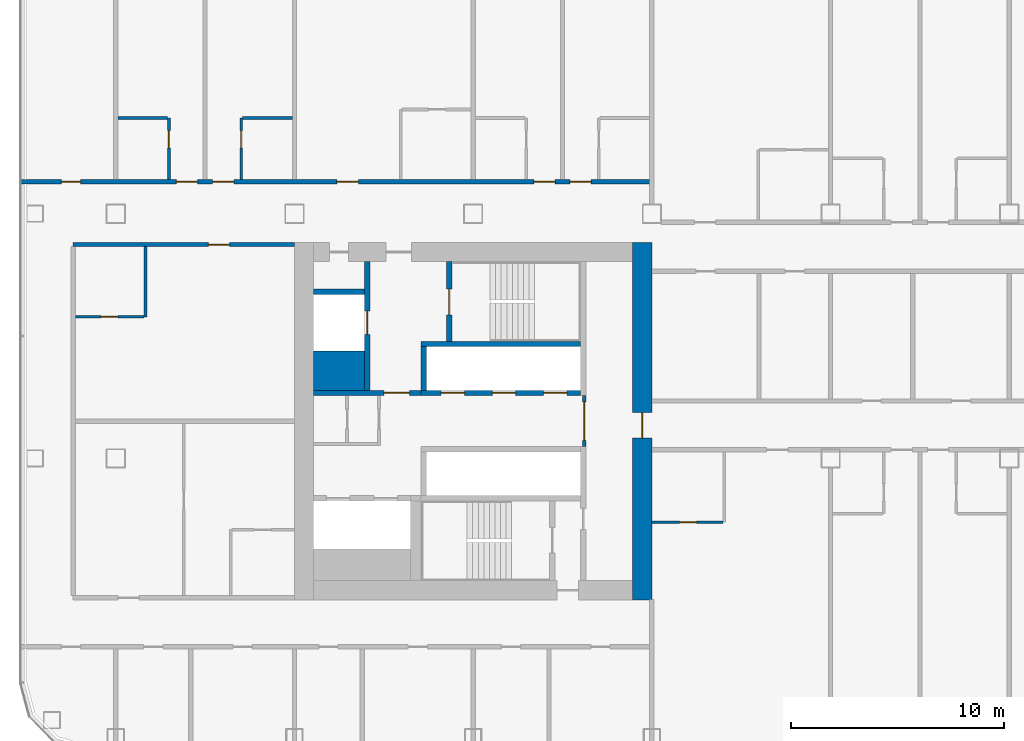
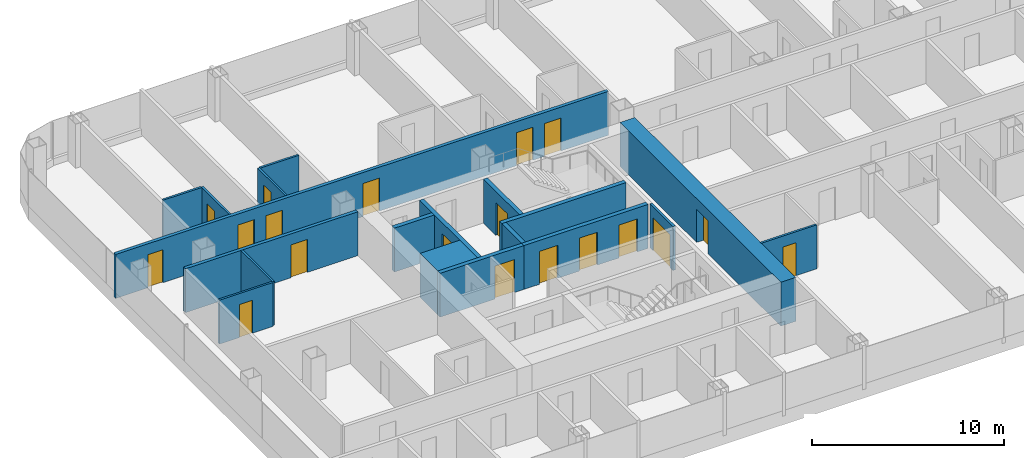
# One storey, part 16 of 29: 19 doors, 19 walls, 19 openings.
"""IFC4 building model written with IfcOpenShell, lengths in metres."""

from ifc_helpers import new_model, si_unit, direction, frame, frame_2d, origin, place, context, subcontext, project, spatial, rectangle, extrude, material, layer, layer_set, type_object, element, fill, save


model = new_model("IFC4")

# Units and contexts
model_context = context("Model", 3, precision=1e-05, world=origin(), true_north=direction((0.0, 1.0)))
body_context = subcontext(model_context, "Body", "Model", "MODEL_VIEW")
ifc_project = project(units=[si_unit("LENGTHUNIT", "METRE"), si_unit("AREAUNIT", "SQUARE_METRE"), si_unit("VOLUMEUNIT", "CUBIC_METRE"), si_unit("PLANEANGLEUNIT", "RADIAN"), si_unit("MASSUNIT", "GRAM", prefix="KILO")], contexts=[model_context])

# Site, building, storey
site_placement = place(None, origin())
site = spatial("IfcSite", under=ifc_project, at=site_placement, CompositionType="ELEMENT")
building_placement = place(site_placement, origin())
building = spatial("IfcBuilding", under=site, at=building_placement, Name="Hakoniwa Tower and Hamabe Station Hall", CompositionType="ELEMENT")
storey_placement = place(building_placement, frame((0.0, 0.0, 97.800048828125)))
storey = spatial("IfcBuildingStorey", under=building, at=storey_placement, Name="L27", CompositionType="ELEMENT", Elevation=97.800048828125)

# Wall, opening, door
ifc_material_1 = material(Name="Gypsum board partition", Category="gypsum")
ifc_layer_1 = layer(ifc_material_1, 0.125)
ifc_layer_set_1 = layer_set([ifc_layer_1], Name="Bathroom Partition 125")
wall_type_1 = type_object("IfcWallType", Name="Bathroom Partition 125", PredefinedType="PARTITIONING", material=ifc_layer_set_1)
wall_1_placement = place(storey_placement, frame((-16.81005859375, -4.75, 0.0), z_axis=(0.0, 0.0, 1.0), x_axis=(1.0, 0.0, 0.0)))
wall_1 = element("IfcWall", 1, at=wall_1_placement, inside=storey, type_object=wall_type_1, Name="GW-L27-007", PredefinedType="PARTITIONING", context=body_context, shape_type="SweptSolid", body=[
    extrude(rectangle(XDim=3.34765625, YDim=0.125, at=frame_2d((1.673828125, 0.0))), origin(), (0.0, 0.0, 1.0), 2.800048828125),
])
opening_1_placement = place(wall_1_placement, frame((1.31005859375, 0.0, 0.0)))
opening_1 = element("IfcOpeningElement", 2, at=opening_1_placement, cuts=wall_1, Name="Opening GD-G2C1-19", PredefinedType="OPENING", context=body_context, shape_type="SweptSolid", body=[
    extrude(rectangle(XDim=0.800048828125, YDim=2.10009765625, at=frame_2d((0.39990234375, 1.050048828125))), frame((0.0, 0.072509765625, 0.0), z_axis=(0.0, -1.0, 0.0), x_axis=(1.0, 0.0, 0.0)), (0.0, 0.0, 1.0), 0.14501953125),
])
ifc_material_2 = material(Name="Timber door leaf", Category="wood")
door_type_1 = type_object("IfcDoorType", Name="Bathroom Door 800", OperationType="SINGLE_SWING_LEFT", PredefinedType="DOOR", material=ifc_material_2)
door_1_placement = place(opening_1_placement, origin())
door_1 = element("IfcDoor", 3, at=door_1_placement, inside=storey, type_object=door_type_1, Name="Door GD-G2C1-19", OperationType="SINGLE_SWING_LEFT", OverallHeight=2.10009765625, OverallWidth=0.800048828125, PredefinedType="DOOR", context=body_context, shape_type="SweptSolid", body=[
    extrude(rectangle(XDim=0.800048828125, YDim=2.10009765625, at=frame_2d((0.39990234375, 1.050048828125))), frame((0.0, 0.02490234375, 0.0), z_axis=(0.0, -1.0, 0.0), x_axis=(1.0, 0.0, 0.0)), (0.0, 0.0, 1.0), 0.050048828125),
])
fill(opening_1, door_1)

wall_2_placement = place(storey_placement, frame((-43.89990234375, 4.89990234375, 0.0), z_axis=(0.0, 0.0, 1.0), x_axis=(1.0, 0.0, 0.0)))
wall_2 = element("IfcWall", 4, at=wall_2_placement, inside=storey, type_object=wall_type_1, Name="GW-L27-016", PredefinedType="PARTITIONING", context=body_context, shape_type="SweptSolid", body=[
    extrude(rectangle(XDim=3.2373046875, YDim=0.125, at=frame_2d((1.61865234375, 0.0))), origin(), (0.0, 0.0, 1.0), 2.800048828125),
])
opening_2_placement = place(wall_2_placement, frame((1.199951171875, 0.0, 0.0)))
opening_2 = element("IfcOpeningElement", 5, at=opening_2_placement, cuts=wall_2, Name="Opening GD-G2C1-31", PredefinedType="OPENING", context=body_context, shape_type="SweptSolid", body=[
    extrude(rectangle(XDim=0.800048828125, YDim=2.10009765625, at=frame_2d((0.39990234375, 1.050048828125))), frame((0.0, 0.072509765625, 0.0), z_axis=(0.0, -1.0, 0.0), x_axis=(1.0, 0.0, 0.0)), (0.0, 0.0, 1.0), 0.14501953125),
])
door_2_placement = place(opening_2_placement, origin())
door_2 = element("IfcDoor", 6, at=door_2_placement, inside=storey, type_object=door_type_1, Name="Door GD-G2C1-31", OperationType="SINGLE_SWING_LEFT", OverallHeight=2.10009765625, OverallWidth=0.800048828125, PredefinedType="DOOR", context=body_context, shape_type="SweptSolid", body=[
    extrude(rectangle(XDim=0.800048828125, YDim=2.10009765625, at=frame_2d((0.39990234375, 1.050048828125))), frame((0.0, 0.02490234375, 0.0), z_axis=(0.0, -1.0, 0.0), x_axis=(1.0, 0.0, 0.0)), (0.0, 0.0, 1.0), 0.050048828125),
])
fill(opening_2, door_2)

# Walls
wall_3_placement = place(storey_placement, frame((-41.89990234375, 14.25, 0.0), z_axis=(0.0, 0.0, 1.0), x_axis=(1.0, 0.0, 0.0)))
element("IfcWall", 7, at=wall_3_placement, inside=storey, type_object=wall_type_1, Name="GW-L27-027", PredefinedType="PARTITIONING", context=body_context, shape_type="SweptSolid", body=[
    extrude(rectangle(XDim=2.33740234375, YDim=0.125, at=frame_2d((1.168701171875, 0.0))), origin(), (0.0, 0.0, 1.0), 2.800048828125),
])
wall_4_placement = place(storey_placement, frame((-36.03759765625, 14.25, 0.0), z_axis=(0.0, 0.0, 1.0), x_axis=(1.0, 0.0, 0.0)))
element("IfcWall", 8, at=wall_4_placement, inside=storey, type_object=wall_type_1, Name="GW-L27-028", PredefinedType="PARTITIONING", context=body_context, shape_type="SweptSolid", body=[
    extrude(rectangle(XDim=2.337646484375, YDim=0.125, at=frame_2d((1.1689453125, 0.0))), origin(), (0.0, 0.0, 1.0), 2.800048828125),
])
wall_5_placement = place(storey_placement, frame((-40.60009765625, 4.89990234375, 0.0), z_axis=(0.0, 0.0, 1.0), x_axis=(0.0, 1.0, 0.0)))
element("IfcWall", 9, at=wall_5_placement, inside=storey, type_object=wall_type_1, Name="GW-L27-039", PredefinedType="PARTITIONING", context=body_context, shape_type="SweptSolid", body=[
    extrude(rectangle(XDim=3.300048828125, YDim=0.125, at=frame_2d((1.64990234375, 0.0))), origin(), (0.0, 0.0, 1.0), 2.800048828125),
])

# Wall, opening, door
wall_6_placement = place(storey_placement, frame((-39.5, 11.35009765625, 0.0), z_axis=(0.0, 0.0, 1.0), x_axis=(0.0, 1.0, 0.0)))
wall_6 = element("IfcWall", 10, at=wall_6_placement, inside=storey, type_object=wall_type_1, Name="GW-L27-040", PredefinedType="PARTITIONING", context=body_context, shape_type="SweptSolid", body=[
    extrude(rectangle(XDim=2.89990234375, YDim=0.125, at=frame_2d((1.449951171875, 0.0))), origin(), (0.0, 0.0, 1.0), 2.800048828125),
])
opening_3_placement = place(wall_6_placement, frame((1.5, 0.0, 0.0)))
opening_3 = element("IfcOpeningElement", 11, at=opening_3_placement, cuts=wall_6, Name="Opening GD-G2C1-61", PredefinedType="OPENING", context=body_context, shape_type="SweptSolid", body=[
    extrude(rectangle(XDim=0.800048828125, YDim=2.10009765625, at=frame_2d((0.39990234375, 1.050048828125))), frame((0.0, 0.072509765625, 0.0), z_axis=(0.0, -1.0, 0.0), x_axis=(1.0, 0.0, 0.0)), (0.0, 0.0, 1.0), 0.14501953125),
])
door_3_placement = place(opening_3_placement, origin())
door_3 = element("IfcDoor", 12, at=door_3_placement, inside=storey, type_object=door_type_1, Name="Door GD-G2C1-61", OperationType="SINGLE_SWING_LEFT", OverallHeight=2.10009765625, OverallWidth=0.800048828125, PredefinedType="DOOR", context=body_context, shape_type="SweptSolid", body=[
    extrude(rectangle(XDim=0.800048828125, YDim=2.10009765625, at=frame_2d((0.39990234375, 1.050048828125))), frame((0.0, 0.02490234375, 0.0), z_axis=(0.0, -1.0, 0.0), x_axis=(1.0, 0.0, 0.0)), (0.0, 0.0, 1.0), 0.050048828125),
])
fill(opening_3, door_3)

wall_7_placement = place(storey_placement, frame((-36.10009765625, 11.35009765625, 0.0), z_axis=(0.0, 0.0, 1.0), x_axis=(0.0, 1.0, 0.0)))
wall_7 = element("IfcWall", 13, at=wall_7_placement, inside=storey, type_object=wall_type_1, Name="GW-L27-045", PredefinedType="PARTITIONING", context=body_context, shape_type="SweptSolid", body=[
    extrude(rectangle(XDim=2.89990234375, YDim=0.125, at=frame_2d((1.449951171875, 0.0))), origin(), (0.0, 0.0, 1.0), 2.800048828125),
])
opening_4_placement = place(wall_7_placement, frame((1.5, 0.0, 0.0)))
opening_4 = element("IfcOpeningElement", 14, at=opening_4_placement, cuts=wall_7, Name="Opening GD-G2C1-63", PredefinedType="OPENING", context=body_context, shape_type="SweptSolid", body=[
    extrude(rectangle(XDim=0.800048828125, YDim=2.10009765625, at=frame_2d((0.39990234375, 1.050048828125))), frame((0.0, 0.072509765625, 0.0), z_axis=(0.0, -1.0, 0.0), x_axis=(1.0, 0.0, 0.0)), (0.0, 0.0, 1.0), 0.14501953125),
])
door_4_placement = place(opening_4_placement, origin())
door_4 = element("IfcDoor", 15, at=door_4_placement, inside=storey, type_object=door_type_1, Name="Door GD-G2C1-63", OperationType="SINGLE_SWING_RIGHT", OverallHeight=2.10009765625, OverallWidth=0.800048828125, PredefinedType="DOOR", context=body_context, shape_type="SweptSolid", body=[
    extrude(rectangle(XDim=0.800048828125, YDim=2.10009765625, at=frame_2d((0.39990234375, 1.050048828125))), frame((0.0, 0.02490234375, 0.0), z_axis=(0.0, -1.0, 0.0), x_axis=(1.0, 0.0, 0.0)), (0.0, 0.0, 1.0), 0.050048828125),
])
fill(opening_4, door_4)

ifc_material_3 = material(Name="Gypsum board partition")
ifc_layer_2 = layer(ifc_material_3, 0.14990234375)
ifc_layer_set_2 = layer_set([ifc_layer_2], Name="CORE PARTITION 150 EI 60")
wall_type_2 = type_object("IfcWallType", Name="CORE PARTITION 150 EI 60", PredefinedType="PARTITIONING", material=ifc_layer_set_2)
wall_8_placement = place(storey_placement, frame((-19.97509765625, -1.199951171875, 0.0), z_axis=(0.0, 0.0, 1.0), x_axis=(0.0, 1.0, 0.0)))
wall_8 = element("IfcWall", 16, at=wall_8_placement, inside=storey, type_object=wall_type_2, Name="Core partition PL0 west", PredefinedType="PARTITIONING", context=body_context, shape_type="SweptSolid", body=[
    extrude(rectangle(XDim=2.39990234375, YDim=0.14990234375, at=frame_2d((1.199951171875, 0.0))), origin(), (0.0, 0.0, 1.0), 2.800048828125),
])
opening_5_placement = place(wall_8_placement, frame((0.300048828125, 0.0, 0.0)))
opening_5 = element("IfcOpeningElement", 17, at=opening_5_placement, cuts=wall_8, Name="Opening CD-W-LP0-18", PredefinedType="OPENING", context=body_context, shape_type="SweptSolid", body=[
    extrude(rectangle(XDim=1.800048828125, YDim=2.10009765625, at=frame_2d((0.89990234375, 1.050048828125))), frame((0.0, 0.0849609375, 0.0), z_axis=(0.0, -1.0, 0.0), x_axis=(1.0, 0.0, 0.0)), (0.0, 0.0, 1.0), 0.169921875),
])
ifc_material_4 = material(Name="Steel fire door", Category="steel")
door_type_2 = type_object("IfcDoorType", Name="CORE DOOR 1800 FD60", OperationType="DOUBLE_DOOR_SINGLE_SWING", PredefinedType="DOOR", material=ifc_material_4)
door_5_placement = place(opening_5_placement, origin())
door_5 = element("IfcDoor", 18, at=door_5_placement, inside=storey, type_object=door_type_2, Name="Lift lobby partition door", OperationType="DOUBLE_DOOR_SINGLE_SWING", OverallHeight=2.10009765625, OverallWidth=1.800048828125, PredefinedType="DOOR", context=body_context, shape_type="SweptSolid", body=[
    extrude(rectangle(XDim=1.800048828125, YDim=2.10009765625, at=frame_2d((0.89990234375, 1.050048828125))), frame((0.0, 0.02490234375, 0.0), z_axis=(0.0, -1.0, 0.0), x_axis=(1.0, 0.0, 0.0)), (0.0, 0.0, 1.0), 0.050048828125),
])
fill(opening_5, door_5)

ifc_material_5 = material(Name="Concrete C72", Category="concrete")
ifc_layer_3 = layer(ifc_material_5, 0.89990234375)
ifc_layer_set_3 = layer_set([ifc_layer_3], Name="CORE WALL 900 C72")
wall_type_3 = type_object("IfcWallType", Name="CORE WALL 900 C72", PredefinedType="SHEAR", material=ifc_layer_set_3)
wall_9_placement = place(storey_placement, frame((-17.25, -8.39990234375, 0.0), z_axis=(0.0, 0.0, 1.0), x_axis=(0.0, 1.0, 0.0)))
wall_9 = element("IfcWall", 19, at=wall_9_placement, inside=storey, type_object=wall_type_3, Name="Core wall INNER west", PredefinedType="SHEAR", context=body_context, shape_type="SweptSolid", body=[
    extrude(rectangle(XDim=16.7998046875, YDim=0.89990234375, at=frame_2d((8.39990234375, 0.0))), origin(), (0.0, 0.0, 1.0), 2.800048828125),
])
opening_6_placement = place(wall_9_placement, frame((7.60009765625, 0.0, 0.0)))
opening_6 = element("IfcOpeningElement", 20, at=opening_6_placement, cuts=wall_9, Name="Opening CD-W-IN1-12", PredefinedType="OPENING", context=body_context, shape_type="SweptSolid", body=[
    extrude(rectangle(XDim=1.199951171875, YDim=2.10009765625, at=frame_2d((0.60009765625, 1.050048828125))), frame((0.0, 0.4599609375, 0.0), z_axis=(0.0, -1.0, 0.0), x_axis=(1.0, 0.0, 0.0)), (0.0, 0.0, 1.0), 0.919921875),
])
ifc_material_6 = material(Name="Steel fire door", Category="steel")
door_type_3 = type_object("IfcDoorType", Name="CORE DOOR 1200 FD60", OperationType="DOUBLE_DOOR_SINGLE_SWING", PredefinedType="DOOR", material=ifc_material_6)
door_6_placement = place(opening_6_placement, origin())
door_6 = element("IfcDoor", 21, at=door_6_placement, inside=storey, type_object=door_type_3, Name="Lift lobby door", OperationType="DOUBLE_DOOR_SINGLE_SWING", OverallHeight=2.10009765625, OverallWidth=1.199951171875, PredefinedType="DOOR", context=body_context, shape_type="SweptSolid", body=[
    extrude(rectangle(XDim=1.199951171875, YDim=2.10009765625, at=frame_2d((0.60009765625, 1.050048828125))), frame((0.0, 0.02490234375, 0.0), z_axis=(0.0, -1.0, 0.0), x_axis=(1.0, 0.0, 0.0)), (0.0, 0.0, 1.0), 0.050048828125),
])
fill(opening_6, door_6)

# Wall
ifc_material_7 = material(Name="Concrete C72", Category="concrete")
ifc_layer_4 = layer(ifc_material_7, 1.85009765625)
ifc_layer_set_4 = layer_set([ifc_layer_4], Name="CORE WEB WALL 1850 C72")
wall_type_4 = type_object("IfcWallType", Name="CORE WEB WALL 1850 C72", PredefinedType="SHEAR", material=ifc_layer_set_4)
wall_10_placement = place(storey_placement, frame((-32.699951171875, 2.375, 0.0), z_axis=(0.0, 0.0, 1.0), x_axis=(1.0, 0.0, 0.0)))
element("IfcWall", 22, at=wall_10_placement, inside=storey, type_object=wall_type_4, Name="Core wall CA west", PredefinedType="SHEAR", context=body_context, shape_type="SweptSolid", body=[
    extrude(rectangle(XDim=2.39990234375, YDim=1.85009765625, at=frame_2d((1.199951171875, 0.0))), origin(), (0.0, 0.0, 1.0), 2.800048828125),
])

# Wall, openings, doors
ifc_material_8 = material(Name="Concrete C72", Category="concrete")
ifc_layer_5 = layer(ifc_material_8, 0.25)
ifc_layer_set_5 = layer_set([ifc_layer_5], Name="CORE WEB WALL 250 C72")
wall_type_5 = type_object("IfcWallType", Name="CORE WEB WALL 250 C72", PredefinedType="SHEAR", material=ifc_layer_set_5)
wall_11_placement = place(storey_placement, frame((-27.64990234375, 1.324951171875, 0.0), z_axis=(0.0, 0.0, 1.0), x_axis=(1.0, 0.0, 0.0)))
wall_11 = element("IfcWall", 23, at=wall_11_placement, inside=storey, type_object=wall_type_5, Name="Core wall NF west", PredefinedType="SHEAR", context=body_context, shape_type="SweptSolid", body=[
    extrude(rectangle(XDim=7.5, YDim=0.25, at=frame_2d((3.75, 0.0))), origin(), (0.0, 0.0, 1.0), 2.800048828125),
])
opening_7_placement = place(wall_11_placement, frame((5.75, 0.0, 0.0)))
opening_7 = element("IfcOpeningElement", 24, at=opening_7_placement, cuts=wall_11, Name="Opening LD-LR1", PredefinedType="OPENING", context=body_context, shape_type="SweptSolid", body=[
    extrude(rectangle(XDim=1.10009765625, YDim=2.10009765625, at=frame_2d((0.550048828125, 1.050048828125))), frame((0.0, 0.135009765625, 0.0), z_axis=(0.0, -1.0, 0.0), x_axis=(1.0, 0.0, 0.0)), (0.0, 0.0, 1.0), 0.27001953125),
])
opening_8_placement = place(wall_11_placement, frame((3.35009765625, 0.0, 0.0)))
opening_8 = element("IfcOpeningElement", 25, at=opening_8_placement, cuts=wall_11, Name="Opening LD-LR2", PredefinedType="OPENING", context=body_context, shape_type="SweptSolid", body=[
    extrude(rectangle(XDim=1.10009765625, YDim=2.10009765625, at=frame_2d((0.550048828125, 1.050048828125))), frame((0.0, 0.135009765625, 0.0), z_axis=(0.0, -1.0, 0.0), x_axis=(1.0, 0.0, 0.0)), (0.0, 0.0, 1.0), 0.27001953125),
])
opening_9_placement = place(wall_11_placement, frame((0.949951171875, 0.0, 0.0)))
opening_9 = element("IfcOpeningElement", 26, at=opening_9_placement, cuts=wall_11, Name="Opening LD-LR3", PredefinedType="OPENING", context=body_context, shape_type="SweptSolid", body=[
    extrude(rectangle(XDim=1.10009765625, YDim=2.10009765625, at=frame_2d((0.550048828125, 1.050048828125))), frame((0.0, 0.135009765625, 0.0), z_axis=(0.0, -1.0, 0.0), x_axis=(1.0, 0.0, 0.0)), (0.0, 0.0, 1.0), 0.27001953125),
])
ifc_material_9 = material(Name="Stainless steel SUS304", Category="steel")
door_type_4 = type_object("IfcDoorType", Name="LIFT LANDING DOOR 1100 FD60", OperationType="DOUBLE_DOOR_SLIDING", PredefinedType="DOOR", material=ifc_material_9)
door_7_placement = place(opening_7_placement, origin())
door_7 = element("IfcDoor", 27, at=door_7_placement, inside=storey, type_object=door_type_4, Name="Lift landing door LR1 L27", OperationType="DOUBLE_DOOR_SLIDING", OverallHeight=2.10009765625, OverallWidth=1.10009765625, PredefinedType="DOOR", context=body_context, shape_type="SweptSolid", body=[
    extrude(rectangle(XDim=1.10009765625, YDim=2.10009765625, at=frame_2d((0.550048828125, 1.050048828125))), frame((0.0, 0.02490234375, 0.0), z_axis=(0.0, -1.0, 0.0), x_axis=(1.0, 0.0, 0.0)), (0.0, 0.0, 1.0), 0.050048828125),
])
fill(opening_7, door_7)
door_8_placement = place(opening_8_placement, origin())
door_8 = element("IfcDoor", 28, at=door_8_placement, inside=storey, type_object=door_type_4, Name="Lift landing door LR2 L27", OperationType="DOUBLE_DOOR_SLIDING", OverallHeight=2.10009765625, OverallWidth=1.10009765625, PredefinedType="DOOR", context=body_context, shape_type="SweptSolid", body=[
    extrude(rectangle(XDim=1.10009765625, YDim=2.10009765625, at=frame_2d((0.550048828125, 1.050048828125))), frame((0.0, 0.02490234375, 0.0), z_axis=(0.0, -1.0, 0.0), x_axis=(1.0, 0.0, 0.0)), (0.0, 0.0, 1.0), 0.050048828125),
])
fill(opening_8, door_8)
door_9_placement = place(opening_9_placement, origin())
door_9 = element("IfcDoor", 29, at=door_9_placement, inside=storey, type_object=door_type_4, Name="Lift landing door LR3 L27", OperationType="DOUBLE_DOOR_SLIDING", OverallHeight=2.10009765625, OverallWidth=1.10009765625, PredefinedType="DOOR", context=body_context, shape_type="SweptSolid", body=[
    extrude(rectangle(XDim=1.10009765625, YDim=2.10009765625, at=frame_2d((0.550048828125, 1.050048828125))), frame((0.0, 0.02490234375, 0.0), z_axis=(0.0, -1.0, 0.0), x_axis=(1.0, 0.0, 0.0)), (0.0, 0.0, 1.0), 0.050048828125),
])
fill(opening_9, door_9)

# Walls
wall_12_placement = place(storey_placement, frame((-27.52490234375, 1.449951171875, 0.0), z_axis=(0.0, 0.0, 1.0), x_axis=(0.0, 1.0, 0.0)))
element("IfcWall", 30, at=wall_12_placement, inside=storey, type_object=wall_type_5, Name="Core wall NE west", PredefinedType="SHEAR", context=body_context, shape_type="SweptSolid", body=[
    extrude(rectangle(XDim=2.050048828125, YDim=0.25, at=frame_2d((1.02490234375, 0.0))), origin(), (0.0, 0.0, 1.0), 2.800048828125),
])
wall_13_placement = place(storey_placement, frame((-27.64990234375, 3.625, 0.0), z_axis=(0.0, 0.0, 1.0), x_axis=(1.0, 0.0, 0.0)))
element("IfcWall", 31, at=wall_13_placement, inside=storey, type_object=wall_type_5, Name="Core wall NR west", PredefinedType="SHEAR", context=body_context, shape_type="SweptSolid", body=[
    extrude(rectangle(XDim=7.5, YDim=0.25, at=frame_2d((3.75, 0.0))), origin(), (0.0, 0.0, 1.0), 2.800048828125),
])

# Wall, opening, door
wall_14_placement = place(storey_placement, frame((-26.324951171875, 3.75, 0.0), z_axis=(0.0, 0.0, 1.0), x_axis=(0.0, 1.0, 0.0)))
wall_14 = element("IfcWall", 32, at=wall_14_placement, inside=storey, type_object=wall_type_5, Name="Core wall NSE west", PredefinedType="SHEAR", context=body_context, shape_type="SweptSolid", body=[
    extrude(rectangle(XDim=3.75, YDim=0.25, at=frame_2d((1.875, 0.0))), origin(), (0.0, 0.0, 1.0), 2.800048828125),
])
opening_10_placement = place(wall_14_placement, frame((1.25, 0.0, 0.0)))
opening_10 = element("IfcOpeningElement", 33, at=opening_10_placement, cuts=wall_14, Name="Opening CD-W-SN-12", PredefinedType="OPENING", context=body_context, shape_type="SweptSolid", body=[
    extrude(rectangle(XDim=1.199951171875, YDim=2.10009765625, at=frame_2d((0.60009765625, 1.050048828125))), frame((0.0, 0.135009765625, 0.0), z_axis=(0.0, -1.0, 0.0), x_axis=(1.0, 0.0, 0.0)), (0.0, 0.0, 1.0), 0.27001953125),
])
door_10_placement = place(opening_10_placement, origin())
door_10 = element("IfcDoor", 34, at=door_10_placement, inside=storey, type_object=door_type_3, Name="Escape stair door", OperationType="DOUBLE_DOOR_SINGLE_SWING", OverallHeight=2.10009765625, OverallWidth=1.199951171875, PredefinedType="DOOR", context=body_context, shape_type="SweptSolid", body=[
    extrude(rectangle(XDim=1.199951171875, YDim=2.10009765625, at=frame_2d((0.60009765625, 1.050048828125))), frame((0.0, 0.02490234375, 0.0), z_axis=(0.0, -1.0, 0.0), x_axis=(1.0, 0.0, 0.0)), (0.0, 0.0, 1.0), 0.050048828125),
])
fill(opening_10, door_10)

wall_15_placement = place(storey_placement, frame((-32.699951171875, 1.324951171875, 0.0), z_axis=(0.0, 0.0, 1.0), x_axis=(1.0, 0.0, 0.0)))
wall_15 = element("IfcWall", 35, at=wall_15_placement, inside=storey, type_object=wall_type_5, Name="Core wall ELN west", PredefinedType="SHEAR", context=body_context, shape_type="SweptSolid", body=[
    extrude(rectangle(XDim=5.050048828125, YDim=0.25, at=frame_2d((2.52490234375, 0.0))), origin(), (0.0, 0.0, 1.0), 2.800048828125),
])
opening_11_placement = place(wall_15_placement, frame((3.300048828125, 0.0, 0.0)))
opening_11 = element("IfcOpeningElement", 36, at=opening_11_placement, cuts=wall_15, Name="Opening CD-W-FL-12", PredefinedType="OPENING", context=body_context, shape_type="SweptSolid", body=[
    extrude(rectangle(XDim=1.199951171875, YDim=2.10009765625, at=frame_2d((0.60009765625, 1.050048828125))), frame((0.0, 0.135009765625, 0.0), z_axis=(0.0, -1.0, 0.0), x_axis=(1.0, 0.0, 0.0)), (0.0, 0.0, 1.0), 0.27001953125),
])
door_11_placement = place(opening_11_placement, origin())
door_11 = element("IfcDoor", 37, at=door_11_placement, inside=storey, type_object=door_type_3, Name="Stair vestibule door to the fire-fighting lobby", OperationType="DOUBLE_DOOR_SINGLE_SWING", OverallHeight=2.10009765625, OverallWidth=1.199951171875, PredefinedType="DOOR", context=body_context, shape_type="SweptSolid", body=[
    extrude(rectangle(XDim=1.199951171875, YDim=2.10009765625, at=frame_2d((0.60009765625, 1.050048828125))), frame((0.0, 0.02490234375, 0.0), z_axis=(0.0, -1.0, 0.0), x_axis=(1.0, 0.0, 0.0)), (0.0, 0.0, 1.0), 0.050048828125),
])
fill(opening_11, door_11)

wall_16_placement = place(storey_placement, frame((-30.175048828125, 1.449951171875, 0.0), z_axis=(0.0, 0.0, 1.0), x_axis=(0.0, 1.0, 0.0)))
wall_16 = element("IfcWall", 38, at=wall_16_placement, inside=storey, type_object=wall_type_5, Name="Core wall FFF west", PredefinedType="SHEAR", context=body_context, shape_type="SweptSolid", body=[
    extrude(rectangle(XDim=6.050048828125, YDim=0.25, at=frame_2d((3.02490234375, 0.0))), origin(), (0.0, 0.0, 1.0), 2.800048828125),
])
opening_12_placement = place(wall_16_placement, frame((2.625, 0.0, 0.0)))
opening_12 = element("IfcOpeningElement", 39, at=opening_12_placement, cuts=wall_16, Name="Opening LD-FF1", PredefinedType="OPENING", context=body_context, shape_type="SweptSolid", body=[
    extrude(rectangle(XDim=1.10009765625, YDim=2.10009765625, at=frame_2d((0.550048828125, 1.050048828125))), frame((0.0, 0.135009765625, 0.0), z_axis=(0.0, -1.0, 0.0), x_axis=(1.0, 0.0, 0.0)), (0.0, 0.0, 1.0), 0.27001953125),
])
door_12_placement = place(opening_12_placement, origin())
door_12 = element("IfcDoor", 40, at=door_12_placement, inside=storey, type_object=door_type_4, Name="Lift landing door FF1 L27", OperationType="DOUBLE_DOOR_SLIDING", OverallHeight=2.10009765625, OverallWidth=1.10009765625, PredefinedType="DOOR", context=body_context, shape_type="SweptSolid", body=[
    extrude(rectangle(XDim=1.10009765625, YDim=2.10009765625, at=frame_2d((0.550048828125, 1.050048828125))), frame((0.0, 0.02490234375, 0.0), z_axis=(0.0, -1.0, 0.0), x_axis=(1.0, 0.0, 0.0)), (0.0, 0.0, 1.0), 0.050048828125),
])
fill(opening_12, door_12)

# Wall
wall_17_placement = place(storey_placement, frame((-32.699951171875, 6.074951171875, 0.0), z_axis=(0.0, 0.0, 1.0), x_axis=(1.0, 0.0, 0.0)))
element("IfcWall", 41, at=wall_17_placement, inside=storey, type_object=wall_type_5, Name="Core wall C2 west", PredefinedType="SHEAR", context=body_context, shape_type="SweptSolid", body=[
    extrude(rectangle(XDim=2.39990234375, YDim=0.25, at=frame_2d((1.199951171875, 0.0))), origin(), (0.0, 0.0, 1.0), 2.800048828125),
])

# Wall, opening, door
ifc_material_10 = material(Name="Fire-rated gypsum board partition", Category="gypsum")
ifc_layer_6 = layer(ifc_material_10, 0.199951171875)
ifc_layer_set_6 = layer_set([ifc_layer_6], Name="Corridor Wall 200")
wall_type_6 = type_object("IfcWallType", Name="Corridor Wall 200", PredefinedType="PARTITIONING", material=ifc_layer_set_6)
wall_18_placement = place(storey_placement, frame((-44.0, 8.300048828125, 0.0), z_axis=(0.0, 0.0, 1.0), x_axis=(1.0, 0.0, 0.0)))
wall_18 = element("IfcWall", 42, at=wall_18_placement, inside=storey, type_object=wall_type_6, Name="GW-L27-019", PredefinedType="PARTITIONING", context=body_context, shape_type="SweptSolid", body=[
    extrude(rectangle(XDim=10.39990234375, YDim=0.199951171875, at=frame_2d((5.199951171875, 0.0))), origin(), (0.0, 0.0, 1.0), 2.800048828125),
])
opening_13_placement = place(wall_18_placement, frame((6.35009765625, 0.0, 0.0)))
opening_13 = element("IfcOpeningElement", 43, at=opening_13_placement, cuts=wall_18, Name="Opening GD-G2C1-37", PredefinedType="OPENING", context=body_context, shape_type="SweptSolid", body=[
    extrude(rectangle(XDim=1.0, YDim=2.10009765625, at=frame_2d((0.5, 1.050048828125))), frame((0.0, 0.10986328125, 0.0), z_axis=(0.0, -1.0, 0.0), x_axis=(1.0, 0.0, 0.0)), (0.0, 0.0, 1.0), 0.219970703125),
])
ifc_material_11 = material(Name="Timber door leaf", Category="wood")
door_type_5 = type_object("IfcDoorType", Name="Guest Entrance Door 1000", OperationType="SINGLE_SWING_LEFT", PredefinedType="DOOR", material=ifc_material_11)
door_13_placement = place(opening_13_placement, origin())
door_13 = element("IfcDoor", 44, at=door_13_placement, inside=storey, type_object=door_type_5, Name="Door GD-G2C1-37", OperationType="SINGLE_SWING_RIGHT", OverallHeight=2.10009765625, OverallWidth=1.0, PredefinedType="DOOR", context=body_context, shape_type="SweptSolid", body=[
    extrude(rectangle(XDim=1.0, YDim=2.10009765625, at=frame_2d((0.5, 1.050048828125))), frame((0.0, 0.02490234375, 0.0), z_axis=(0.0, -1.0, 0.0), x_axis=(1.0, 0.0, 0.0)), (0.0, 0.0, 1.0), 0.050048828125),
])
fill(opening_13, door_13)

# Wall, openings, doors
wall_19_placement = place(storey_placement, frame((-46.5, 11.25, 0.0), z_axis=(0.0, 0.0, 1.0), x_axis=(1.0, 0.0, 0.0)))
wall_19 = element("IfcWall", 45, at=wall_19_placement, inside=storey, type_object=wall_type_6, Name="GW-L27-022", PredefinedType="PARTITIONING", context=body_context, shape_type="SweptSolid", body=[
    extrude(rectangle(XDim=29.699951171875, YDim=0.199951171875, at=frame_2d((14.85009765625, 0.0))), origin(), (0.0, 0.0, 1.0), 2.800048828125),
])
opening_14_placement = place(wall_19_placement, frame((1.949951171875, 0.0, 0.0)))
opening_14 = element("IfcOpeningElement", 46, at=opening_14_placement, cuts=wall_19, Name="Opening GD-G2C1-46", PredefinedType="OPENING", context=body_context, shape_type="SweptSolid", body=[
    extrude(rectangle(XDim=0.89990234375, YDim=2.10009765625, at=frame_2d((0.449951171875, 1.050048828125))), frame((0.0, 0.10986328125, 0.0), z_axis=(0.0, -1.0, 0.0), x_axis=(1.0, 0.0, 0.0)), (0.0, 0.0, 1.0), 0.219970703125),
])
opening_15_placement = place(wall_19_placement, frame((7.35009765625, 0.0, 0.0)))
opening_15 = element("IfcOpeningElement", 47, at=opening_15_placement, cuts=wall_19, Name="Opening GD-G2C1-47", PredefinedType="OPENING", context=body_context, shape_type="SweptSolid", body=[
    extrude(rectangle(XDim=1.0, YDim=2.10009765625, at=frame_2d((0.5, 1.050048828125))), frame((0.0, 0.10986328125, 0.0), z_axis=(0.0, -1.0, 0.0), x_axis=(1.0, 0.0, 0.0)), (0.0, 0.0, 1.0), 0.219970703125),
])
opening_16_placement = place(wall_19_placement, frame((9.050048828125, 0.0, 0.0)))
opening_16 = element("IfcOpeningElement", 48, at=opening_16_placement, cuts=wall_19, Name="Opening GD-G2C1-48", PredefinedType="OPENING", context=body_context, shape_type="SweptSolid", body=[
    extrude(rectangle(XDim=1.0, YDim=2.10009765625, at=frame_2d((0.5, 1.050048828125))), frame((0.0, 0.10986328125, 0.0), z_axis=(0.0, -1.0, 0.0), x_axis=(1.0, 0.0, 0.0)), (0.0, 0.0, 1.0), 0.219970703125),
])
opening_17_placement = place(wall_19_placement, frame((14.89990234375, 0.0, 0.0)))
opening_17 = element("IfcOpeningElement", 49, at=opening_17_placement, cuts=wall_19, Name="Opening GD-G2C1-49", PredefinedType="OPENING", context=body_context, shape_type="SweptSolid", body=[
    extrude(rectangle(XDim=1.0, YDim=2.10009765625, at=frame_2d((0.5, 1.050048828125))), frame((0.0, 0.10986328125, 0.0), z_axis=(0.0, -1.0, 0.0), x_axis=(1.0, 0.0, 0.0)), (0.0, 0.0, 1.0), 0.219970703125),
])
opening_18_placement = place(wall_19_placement, frame((24.14990234375, 0.0, 0.0)))
opening_18 = element("IfcOpeningElement", 50, at=opening_18_placement, cuts=wall_19, Name="Opening GD-G2C1-50", PredefinedType="OPENING", context=body_context, shape_type="SweptSolid", body=[
    extrude(rectangle(XDim=1.0, YDim=2.10009765625, at=frame_2d((0.5, 1.050048828125))), frame((0.0, 0.10986328125, 0.0), z_axis=(0.0, -1.0, 0.0), x_axis=(1.0, 0.0, 0.0)), (0.0, 0.0, 1.0), 0.219970703125),
])
opening_19_placement = place(wall_19_placement, frame((25.85009765625, 0.0, 0.0)))
opening_19 = element("IfcOpeningElement", 51, at=opening_19_placement, cuts=wall_19, Name="Opening GD-G2C1-51", PredefinedType="OPENING", context=body_context, shape_type="SweptSolid", body=[
    extrude(rectangle(XDim=1.0, YDim=2.10009765625, at=frame_2d((0.5, 1.050048828125))), frame((0.0, 0.10986328125, 0.0), z_axis=(0.0, -1.0, 0.0), x_axis=(1.0, 0.0, 0.0)), (0.0, 0.0, 1.0), 0.219970703125),
])
door_14_placement = place(opening_15_placement, origin())
door_14 = element("IfcDoor", 52, at=door_14_placement, inside=storey, type_object=door_type_5, Name="Door GD-G2C1-47", OperationType="SINGLE_SWING_RIGHT", OverallHeight=2.10009765625, OverallWidth=1.0, PredefinedType="DOOR", context=body_context, shape_type="SweptSolid", body=[
    extrude(rectangle(XDim=1.0, YDim=2.10009765625, at=frame_2d((0.5, 1.050048828125))), frame((0.0, 0.02490234375, 0.0), z_axis=(0.0, -1.0, 0.0), x_axis=(1.0, 0.0, 0.0)), (0.0, 0.0, 1.0), 0.050048828125),
])
fill(opening_15, door_14)
door_15_placement = place(opening_16_placement, origin())
door_15 = element("IfcDoor", 53, at=door_15_placement, inside=storey, type_object=door_type_5, Name="Door GD-G2C1-48", OperationType="SINGLE_SWING_LEFT", OverallHeight=2.10009765625, OverallWidth=1.0, PredefinedType="DOOR", context=body_context, shape_type="SweptSolid", body=[
    extrude(rectangle(XDim=1.0, YDim=2.10009765625, at=frame_2d((0.5, 1.050048828125))), frame((0.0, 0.02490234375, 0.0), z_axis=(0.0, -1.0, 0.0), x_axis=(1.0, 0.0, 0.0)), (0.0, 0.0, 1.0), 0.050048828125),
])
fill(opening_16, door_15)
door_16_placement = place(opening_17_placement, origin())
door_16 = element("IfcDoor", 54, at=door_16_placement, inside=storey, type_object=door_type_5, Name="Door GD-G2C1-49", OperationType="SINGLE_SWING_RIGHT", OverallHeight=2.10009765625, OverallWidth=1.0, PredefinedType="DOOR", context=body_context, shape_type="SweptSolid", body=[
    extrude(rectangle(XDim=1.0, YDim=2.10009765625, at=frame_2d((0.5, 1.050048828125))), frame((0.0, 0.02490234375, 0.0), z_axis=(0.0, -1.0, 0.0), x_axis=(1.0, 0.0, 0.0)), (0.0, 0.0, 1.0), 0.050048828125),
])
fill(opening_17, door_16)
door_17_placement = place(opening_18_placement, origin())
door_17 = element("IfcDoor", 55, at=door_17_placement, inside=storey, type_object=door_type_5, Name="Door GD-G2C1-50", OperationType="SINGLE_SWING_RIGHT", OverallHeight=2.10009765625, OverallWidth=1.0, PredefinedType="DOOR", context=body_context, shape_type="SweptSolid", body=[
    extrude(rectangle(XDim=1.0, YDim=2.10009765625, at=frame_2d((0.5, 1.050048828125))), frame((0.0, 0.02490234375, 0.0), z_axis=(0.0, -1.0, 0.0), x_axis=(1.0, 0.0, 0.0)), (0.0, 0.0, 1.0), 0.050048828125),
])
fill(opening_18, door_17)
door_18_placement = place(opening_19_placement, origin())
door_18 = element("IfcDoor", 56, at=door_18_placement, inside=storey, type_object=door_type_5, Name="Door GD-G2C1-51", OperationType="SINGLE_SWING_LEFT", OverallHeight=2.10009765625, OverallWidth=1.0, PredefinedType="DOOR", context=body_context, shape_type="SweptSolid", body=[
    extrude(rectangle(XDim=1.0, YDim=2.10009765625, at=frame_2d((0.5, 1.050048828125))), frame((0.0, 0.02490234375, 0.0), z_axis=(0.0, -1.0, 0.0), x_axis=(1.0, 0.0, 0.0)), (0.0, 0.0, 1.0), 0.050048828125),
])
fill(opening_19, door_18)
ifc_material_12 = material(Name="Timber door leaf", Category="wood")
door_type_6 = type_object("IfcDoorType", Name="Service Door 900", OperationType="SINGLE_SWING_LEFT", PredefinedType="DOOR", material=ifc_material_12)
door_19_placement = place(opening_14_placement, origin())
door_19 = element("IfcDoor", 57, at=door_19_placement, inside=storey, type_object=door_type_6, Name="Door GD-G2C1-46", OperationType="SINGLE_SWING_LEFT", OverallHeight=2.10009765625, OverallWidth=0.89990234375, PredefinedType="DOOR", context=body_context, shape_type="SweptSolid", body=[
    extrude(rectangle(XDim=0.89990234375, YDim=2.10009765625, at=frame_2d((0.449951171875, 1.050048828125))), frame((0.0, 0.02490234375, 0.0), z_axis=(0.0, -1.0, 0.0), x_axis=(1.0, 0.0, 0.0)), (0.0, 0.0, 1.0), 0.050048828125),
])
fill(opening_14, door_19)

save(model, "model.ifc")
